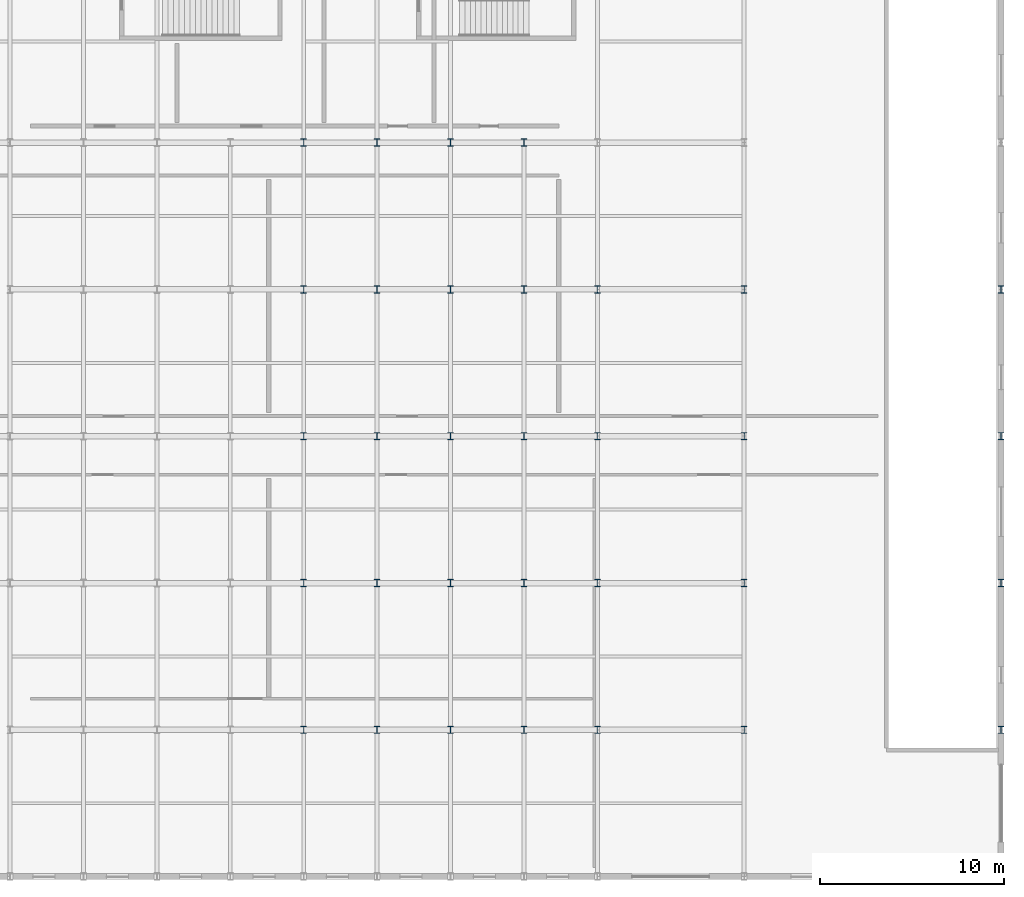
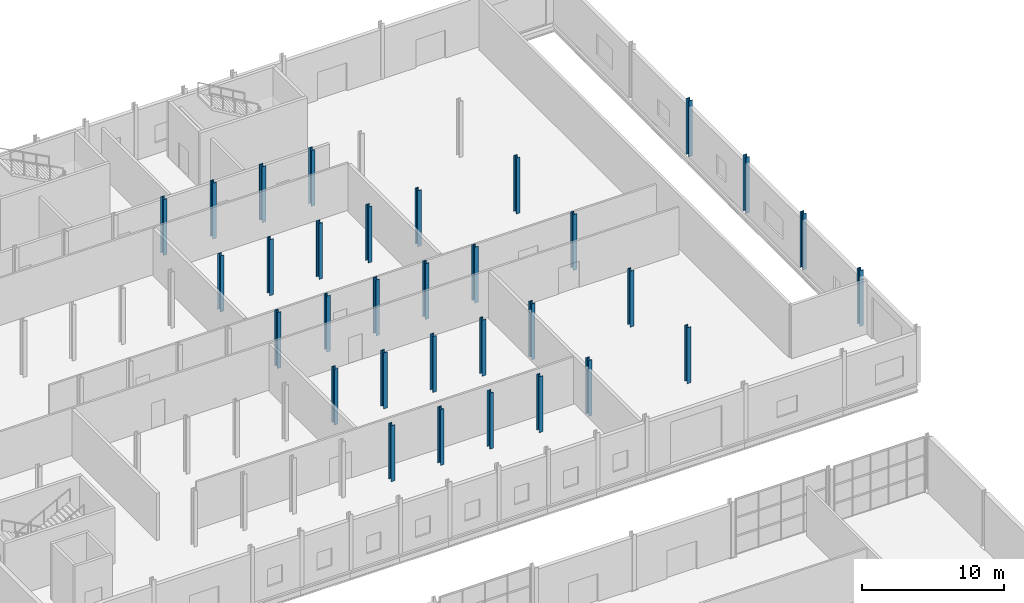
# One storey, part 26 of 101: 32 columns.
"""IFC4 building model written with IfcOpenShell, lengths in metres."""

from ifc_helpers import new_model, si_unit, derived_unit, direction, frame, origin, origin_2d, place, context, subcontext, project, spatial, i_section, extrude, material, material_profile, profile_set, type_object, element, save


model = new_model("IFC4")

# Units and contexts
model_context = context("Model", 3, precision=1e-05, world=origin(), true_north=direction((0.0, 1.0)))
body_context = subcontext(model_context, "Body", "Model", "MODEL_VIEW")
ifc_project = project(units=[si_unit("LENGTHUNIT", "METRE"), si_unit("AREAUNIT", "SQUARE_METRE"), si_unit("VOLUMEUNIT", "CUBIC_METRE"), si_unit("PLANEANGLEUNIT", "RADIAN"), si_unit("MASSUNIT", "GRAM", prefix="KILO"), derived_unit("THERMALTRANSMITTANCEUNIT", [(si_unit("POWERUNIT", "WATT"), 1), (si_unit("LENGTHUNIT", "METRE"), -2), (si_unit("THERMODYNAMICTEMPERATUREUNIT", "KELVIN"), -1)])], contexts=[model_context])

# Site, building, storey
site_placement = place(None, origin())
site = spatial("IfcSite", under=ifc_project, at=site_placement, CompositionType="ELEMENT")
building_placement = place(site_placement, origin())
building = spatial("IfcBuilding", under=site, at=building_placement, Name="Keldorne Ridge Multi-Sports Centre", CompositionType="ELEMENT")
storey_placement = place(building_placement, origin())
storey = spatial("IfcBuildingStorey", under=building, at=storey_placement, Name="L00", CompositionType="ELEMENT", Elevation=0.0)

# Columns
ifc_material = material(Name="Steel S355", Category="steel")
ifc_material_profile = material_profile(ifc_material, i_section(OverallWidth=0.300048828125, OverallDepth=0.39990234375, WebThickness=0.013427734375, FlangeThickness=0.02392578125, FilletRadius=0.027099609375, at=origin_2d()), Name="HEB 400")
ifc_profile_set = profile_set([ifc_material_profile], Name="Steel S355")
column_type = type_object("IfcColumnType", Name="COL-C-09", PredefinedType="COLUMN", material=ifc_profile_set)
for number, where, z_axis, x_axis, name in (
    (1, (136.0, 74.0, 0.0), (0.0, 0.0, 1.0), (1.0, 0.0, 0.0), "Structural column V5-C-07-02 on L00"),
    (2, (136.0, 82.0, 0.0), (0.0, 0.0, 1.0), (1.0, 0.0, 0.0), "Structural column V5-C-07-03 on L00"),
    (3, (136.0, 90.0, 0.0), (0.0, 0.0, 1.0), (1.0, 0.0, 0.0), "Structural column V5-C-07-04 on L00"),
    (4, (136.0, 98.0, 0.0), (0.0, 0.0, 1.0), (1.0, 0.0, 0.0), "Structural column V5-C-07-05 on L00"),
    (5, (136.0, 106.0, 0.0), (0.0, 0.0, 1.0), (1.0, 0.0, 0.0), "Structural column V5-C-07-06 on L00"),
    (6, (140.0, 74.0, 0.0), (0.0, 0.0, 1.0), (1.0, 0.0, 0.0), "Structural column V5-C-08-02 on L00"),
    (7, (140.0, 82.0, 0.0), (0.0, 0.0, 1.0), (1.0, 0.0, 0.0), "Structural column V5-C-08-03 on L00"),
    (8, (140.0, 90.0, 0.0), (0.0, 0.0, 1.0), (1.0, 0.0, 0.0), "Structural column V5-C-08-04 on L00"),
    (9, (140.0, 98.0, 0.0), (0.0, 0.0, 1.0), (1.0, 0.0, 0.0), "Structural column V5-C-08-05 on L00"),
    (10, (140.0, 106.0, 0.0), (0.0, 0.0, 1.0), (1.0, 0.0, 0.0), "Structural column V5-C-08-06 on L00"),
    (11, (144.0, 74.0, 0.0), (0.0, 0.0, 1.0), (1.0, 0.0, 0.0), "Structural column V5-C-09-02 on L00"),
    (12, (144.0, 82.0, 0.0), (0.0, 0.0, 1.0), (1.0, 0.0, 0.0), "Structural column V5-C-09-03 on L00"),
    (13, (144.0, 90.0, 0.0), (0.0, 0.0, 1.0), (1.0, 0.0, 0.0), "Structural column V5-C-09-04 on L00"),
    (14, (144.0, 98.0, 0.0), (0.0, 0.0, 1.0), (1.0, 0.0, 0.0), "Structural column V5-C-09-05 on L00"),
    (15, (144.0, 106.0, 0.0), (0.0, 0.0, 1.0), (1.0, 0.0, 0.0), "Structural column V5-C-09-06 on L00"),
    (16, (148.0, 74.0, 0.0), (0.0, 0.0, 1.0), (1.0, 0.0, 0.0), "Structural column V5-C-10-02 on L00"),
    (17, (148.0, 82.0, 0.0), (0.0, 0.0, 1.0), (1.0, 0.0, 0.0), "Structural column V5-C-10-03 on L00"),
    (18, (148.0, 90.0, 0.0), (0.0, 0.0, 1.0), (1.0, 0.0, 0.0), "Structural column V5-C-10-04 on L00"),
    (19, (148.0, 98.0, 0.0), (0.0, 0.0, 1.0), (1.0, 0.0, 0.0), "Structural column V5-C-10-05 on L00"),
    (20, (148.0, 106.0, 0.0), (0.0, 0.0, 1.0), (1.0, 0.0, 0.0), "Structural column V5-C-10-06 on L00"),
    (21, (152.0, 74.0, 0.0), (0.0, 0.0, 1.0), (1.0, 0.0, 0.0), "Structural column V5-C-11-02 on L00"),
    (22, (152.0, 82.0, 0.0), (0.0, 0.0, 1.0), (1.0, 0.0, 0.0), "Structural column V5-C-11-03 on L00"),
    (23, (152.0, 90.0, 0.0), (0.0, 0.0, 1.0), (1.0, 0.0, 0.0), "Structural column V5-C-11-04 on L00"),
    (24, (152.0, 98.0, 0.0), (0.0, 0.0, 1.0), (1.0, 0.0, 0.0), "Structural column V5-C-11-05 on L00"),
    (25, (160.0, 74.0, 0.0), (0.0, 0.0, 1.0), (1.0, 0.0, 0.0), "Structural column V5-C-12-02 on L00"),
    (26, (160.0, 82.0, 0.0), (0.0, 0.0, 1.0), (1.0, 0.0, 0.0), "Structural column V5-C-12-03 on L00"),
    (27, (160.0, 90.0, 0.0), (0.0, 0.0, 1.0), (1.0, 0.0, 0.0), "Structural column V5-C-12-04 on L00"),
    (28, (160.0, 98.0, 0.0), (0.0, 0.0, 1.0), (1.0, 0.0, 0.0), "Structural column V5-C-12-05 on L00"),
    (29, (174.0, 74.0, 0.0), (0.0, 0.0, 1.0), (1.0, 0.0, 0.0), "Structural column V5-C-14-02 on L00"),
    (30, (174.0, 82.0, 0.0), (0.0, 0.0, 1.0), (1.0, 0.0, 0.0), "Structural column V5-C-14-03 on L00"),
    (31, (174.0, 90.0, 0.0), (0.0, 0.0, 1.0), (1.0, 0.0, 0.0), "Structural column V5-C-14-04 on L00"),
    (32, (174.0, 98.0, 0.0), (0.0, 0.0, 1.0), (1.0, 0.0, 0.0), "Structural column V5-C-14-05 on L00"),
):
    element("IfcColumn", number, at=place(storey_placement, frame(where, z_axis=z_axis, x_axis=x_axis)), inside=storey, type_object=column_type, Name=name, PredefinedType="COLUMN", context=body_context, shape_type="SweptSolid", body=[
        extrude(i_section(OverallWidth=0.300048828125, OverallDepth=0.39990234375, WebThickness=0.013427734375, FlangeThickness=0.02392578125, FilletRadius=0.027099609375, at=origin_2d()), origin(), (0.0, 0.0, 1.0), 4.800048828125),
    ])

save(model, "model.ifc")
